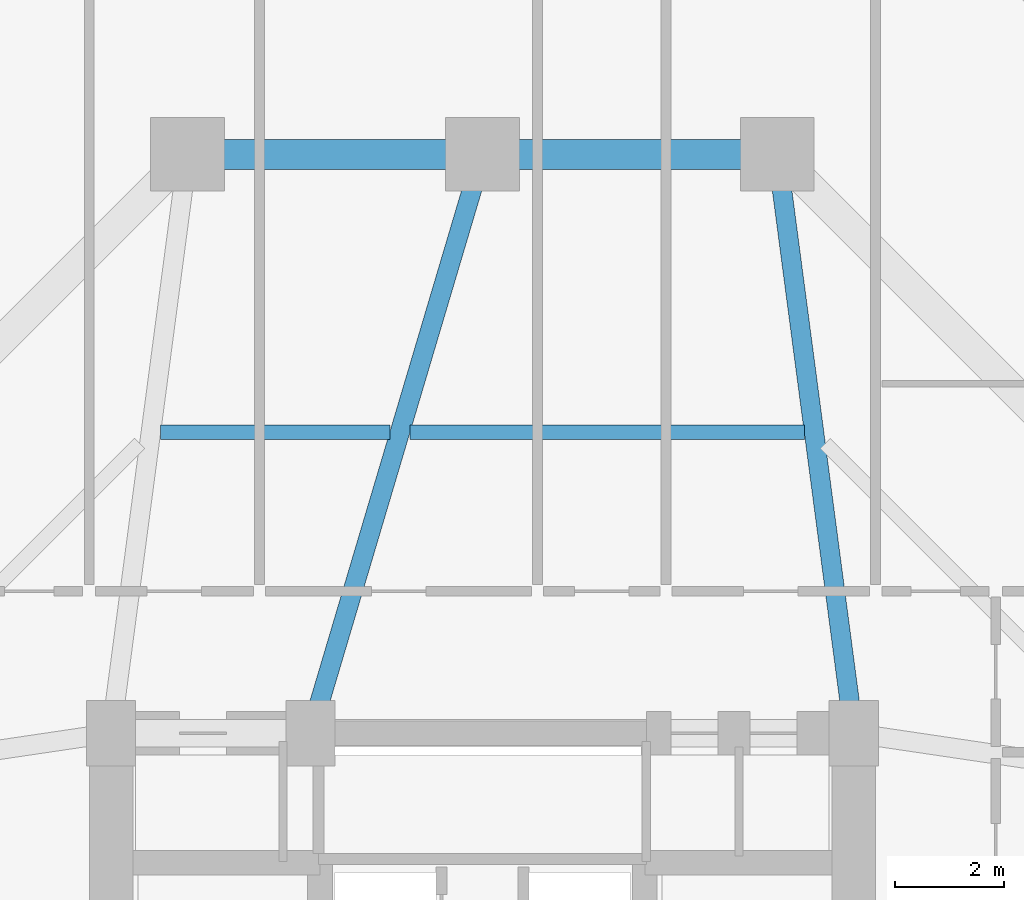
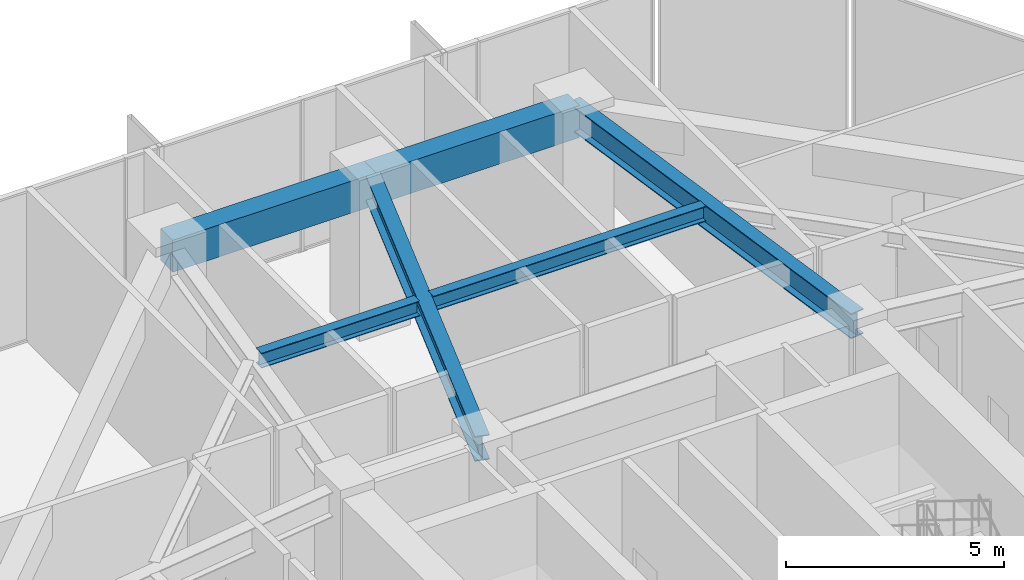
# One storey, part 26 of 39: 6 beams.
"""IFC4 building model written with IfcOpenShell, lengths in metres."""

from ifc_helpers import new_model, si_unit, direction, frame, origin, origin_2d, place, context, subcontext, project, spatial, rectangle, i_section, extrude, material, material_profile, profile_set, type_object, element, save


model = new_model("IFC4")

# Units and contexts
model_context = context("Model", 3, precision=1e-05, world=origin(), true_north=direction((0.0, 1.0)))
body_context = subcontext(model_context, "Body", "Model", "MODEL_VIEW")
ifc_project = project(units=[si_unit("LENGTHUNIT", "METRE"), si_unit("AREAUNIT", "SQUARE_METRE"), si_unit("VOLUMEUNIT", "CUBIC_METRE"), si_unit("PLANEANGLEUNIT", "RADIAN"), si_unit("MASSUNIT", "GRAM", prefix="KILO")], contexts=[model_context])

# Site, building, storey
site_placement = place(None, origin())
site = spatial("IfcSite", under=ifc_project, at=site_placement, CompositionType="ELEMENT")
building_placement = place(site_placement, origin())
building = spatial("IfcBuilding", under=site, at=building_placement, Name="Veraguas Prism Commons", CompositionType="ELEMENT")
storey_placement = place(building_placement, frame((0.0, 0.0, 22.800048828125)))
storey = spatial("IfcBuildingStorey", under=building, at=storey_placement, Name="L05", CompositionType="ELEMENT", Elevation=22.800048828125)

# Beams
ifc_material_1 = material(Name="Steel ASTM A992 Grade 50", Category="steel")
ifc_material_profile_1 = material_profile(ifc_material_1, i_section(OverallWidth=0.260986328125, OverallDepth=0.419921875, WebThickness=0.01171875, FlangeThickness=0.019287109375, at=origin_2d()), Name="W410X114")
ifc_profile_set_1 = profile_set([ifc_material_profile_1], Name="Steel ASTM A992 Grade 50")
beam_type_1 = type_object("IfcBeamType", Name="Lower Floor Joist W410x114", PredefinedType="JOIST", material=ifc_profile_set_1)
beam_1_placement = place(storey_placement, frame((29.89453125, 36.511962890625, 4.0400390625), z_axis=(-1.0, 0.0, 0.0), x_axis=(0.0, -1.0, 0.0)))
element("IfcBeam", 1, at=beam_1_placement, inside=storey, type_object=beam_type_1, Name="Composite Floor Joist L05-JS04", PredefinedType="JOIST", context=body_context, shape_type="SweptSolid", body=[
    extrude(i_section(OverallWidth=0.260986328125, OverallDepth=0.419921875, WebThickness=0.01171875, FlangeThickness=0.019287109375, at=origin_2d()), origin(), (0.0, 0.0, 1.0), 7.222900390625),
])
beam_2_placement = place(storey_placement, frame((22.304443359375, 36.511962890625, 4.0400390625), z_axis=(-1.0, 0.0, 0.0), x_axis=(0.0, -1.0, 0.0)))
element("IfcBeam", 2, at=beam_2_placement, inside=storey, type_object=beam_type_1, Name="Composite Floor Joist L05-JS05", PredefinedType="JOIST", context=body_context, shape_type="SweptSolid", body=[
    extrude(i_section(OverallWidth=0.260986328125, OverallDepth=0.419921875, WebThickness=0.01171875, FlangeThickness=0.019287109375, at=origin_2d()), origin(), (0.0, 0.0, 1.0), 4.198974609375),
])
ifc_material_2 = material(Name="Concrete C50/60", Category="concrete")
ifc_material_profile_2 = material_profile(ifc_material_2, rectangle(XDim=0.550048828125, YDim=0.89990234375, at=origin_2d()), Name="RC550X900")
ifc_profile_set_2 = profile_set([ifc_material_profile_2], Name="Concrete C50/60")
beam_type_2 = type_object("IfcBeamType", Name="Perimeter Spandrel Lower RC 550x900", PredefinedType="SPANDREL", material=ifc_profile_set_2)
for number, where, z_axis, x_axis, name in (
    (3, (29.39990234375, 41.60009765625, 3.800048828125), (-1.0, 0.0, 0.0), (0.0, -1.0, 0.0), "Perimeter Spandrel Beam L05-SP04"),
    (4, (24.0, 41.60009765625, 3.800048828125), (-1.0, 0.0, 0.0), (0.0, -1.0, 0.0), "Perimeter Spandrel Beam L05-SP05"),
):
    element("IfcBeam", number, at=place(storey_placement, frame(where, z_axis=z_axis, x_axis=x_axis)), inside=storey, type_object=beam_type_2, Name=name, PredefinedType="SPANDREL", context=body_context, shape_type="SweptSolid", body=[
        extrude(rectangle(XDim=0.550048828125, YDim=0.89990234375, at=origin_2d()), origin(), (0.0, 0.0, 1.0), 5.39990234375),
    ])
ifc_material_profile_3 = material_profile(ifc_material_1, i_section(OverallWidth=0.35595703125, OverallDepth=0.700927734375, WebThickness=0.016845703125, FlangeThickness=0.02734375, at=origin_2d()), Name="W690X240")
ifc_profile_set_3 = profile_set([ifc_material_profile_3], Name="Steel ASTM A992 Grade 50")
beam_type_3 = type_object("IfcBeamType", Name="Zone 1 Radial Girder W690x240", PredefinedType="BEAM", material=ifc_profile_set_3)
beam_3_placement = place(storey_placement, frame((29.39990234375, 41.60009765625, 3.8994140625), z_axis=(0.130950648891, -0.991388888154, 0.0), x_axis=(0.991388888154, 0.130950648891, 0.0)))
element("IfcBeam", 5, at=beam_3_placement, inside=storey, type_object=beam_type_3, Name="Radial Floor Girder L05-RD04", PredefinedType="BEAM", context=body_context, shape_type="SweptSolid", body=[
    extrude(i_section(OverallWidth=0.35595703125, OverallDepth=0.700927734375, WebThickness=0.016845703125, FlangeThickness=0.02734375, at=origin_2d()), origin(), (0.0, 0.0, 1.0), 10.692138671875),
])
beam_4_placement = place(storey_placement, frame((24.0, 41.60009765625, 3.8994140625), z_axis=(-0.28484745997, -0.958572858237, 0.0), x_axis=(0.958572858237, -0.28484745997, 0.0)))
element("IfcBeam", 6, at=beam_4_placement, inside=storey, type_object=beam_type_3, Name="Radial Floor Girder L05-RD05", PredefinedType="BEAM", context=body_context, shape_type="SweptSolid", body=[
    extrude(i_section(OverallWidth=0.35595703125, OverallDepth=0.700927734375, WebThickness=0.016845703125, FlangeThickness=0.02734375, at=origin_2d()), origin(), (0.0, 0.0, 1.0), 11.05810546875),
])

save(model, "model.ifc")
